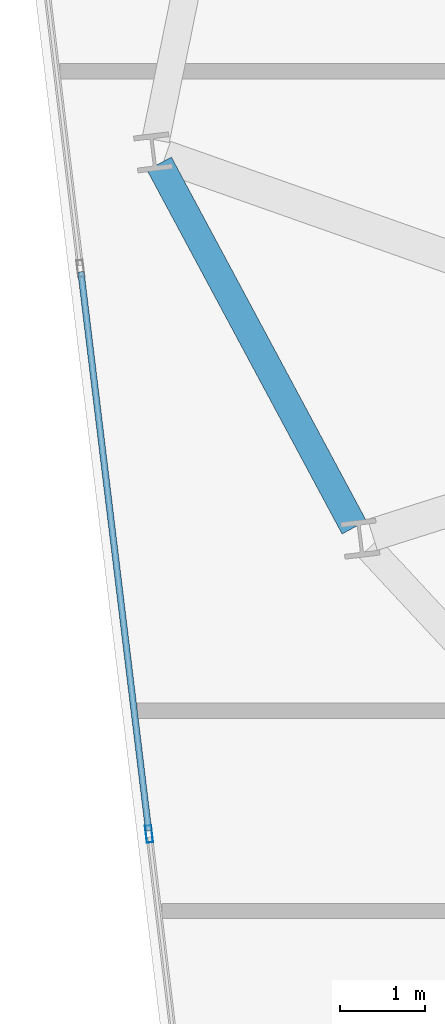
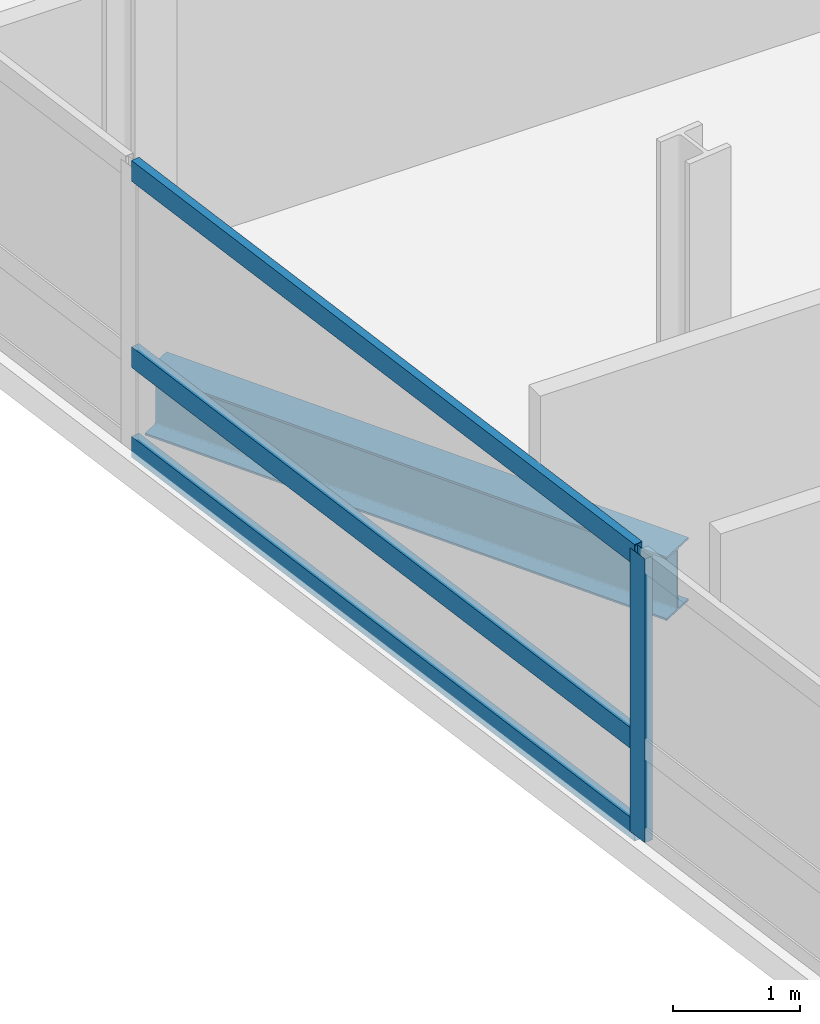
# One storey, part 4 of 24: 4 members, 1 beam, 1 element without a shape of its own.
"""IFC4 building model written with IfcOpenShell, lengths in metres."""

import ifcopenshell
import ifcopenshell.guid

model = None  # the IFC model being written
_history = None  # IfcOwnerHistory: only IFC2X3 demands one
_inside = {}  # id of a spatial element -> (the spatial element, [elements in it])
_under = {}  # id of a project, library or spatial element -> (it, [spatial elements below it])
_declared = {}  # id of a project -> (the project, [libraries it declares])
_typed = {}  # id of a type object -> (the type object, [elements of that type])
_made_of = {}  # id of a material, layer set ... -> (it, [elements and type objects made of it])


def new_model(schema):
    """Start an empty IFC model of exactly this schema.

    Asked for "IFC4X3", IfcOpenShell would pick the latest addendum, in which some entities
    have other attributes; the version numbers below select the first issue.
    IFC2X3 requires an IfcOwnerHistory on every rooted entity: one is made here for all.
    """
    global model, _history
    if schema == "IFC4X3":
        model = ifcopenshell.file(schema_version=(4, 3, 0, 0))
    else:
        model = ifcopenshell.file(schema=schema)
    _inside.clear()
    _under.clear()
    _declared.clear()
    _typed.clear()
    _made_of.clear()
    _history = None
    if model.schema == "IFC2X3":
        org = make("IfcOrganization", Name="unknown")
        user = make(
            "IfcPersonAndOrganization",
            ThePerson=make("IfcPerson", FamilyName="unknown"),
            TheOrganization=org,
        )
        app = make(
            "IfcApplication",
            ApplicationDeveloper=org,
            Version="unknown",
            ApplicationFullName="unknown",
            ApplicationIdentifier="unknown",
        )
        _history = make(
            "IfcOwnerHistory",
            OwningUser=user,
            OwningApplication=app,
            ChangeAction="ADDED",
            CreationDate=0,
        )
    return model


def make(cls, **values):
    """One entity of the class cls with the attributes given. An attribute that is None is left unset."""
    return model.create_entity(
        cls, **{name: value for name, value in values.items() if value is not None}
    )


def rooted(cls, **values):
    """An entity with a GlobalId (a new one), such as an element, a storey or a relation."""
    return make(cls, GlobalId=ifcopenshell.guid.new(), OwnerHistory=_history, **values)


def si_unit(unit_type, name, prefix=None):
    """IfcSIUnit, for example si_unit("LENGTHUNIT", "METRE", prefix="MILLI")."""
    return make("IfcSIUnit", UnitType=unit_type, Prefix=prefix, Name=name)


def assignment(units):
    """IfcUnitAssignment: the units of a project."""
    return None if units is None else make("IfcUnitAssignment", Units=units)


def point(xyz):
    """IfcCartesianPoint."""
    return None if xyz is None else make("IfcCartesianPoint", Coordinates=xyz)


def direction(xyz):
    """IfcDirection."""
    return None if xyz is None else make("IfcDirection", DirectionRatios=xyz)


def frame(location, z_axis=None, x_axis=None):
    """IfcAxis2Placement3D, a coordinate frame: its origin and axes. An axis left out is left unset."""
    return make(
        "IfcAxis2Placement3D",
        Location=point(location),
        Axis=direction(z_axis),
        RefDirection=direction(x_axis),
    )


def frame_2d(location, x_axis=None):
    """IfcAxis2Placement2D, a coordinate frame in the plane: its origin and x axis."""
    return make(
        "IfcAxis2Placement2D", Location=point(location), RefDirection=direction(x_axis)
    )


def origin():
    """The frame at (0, 0, 0) with its axes left unset."""
    return frame((0.0, 0.0, 0.0))


def origin_2d():
    """The frame at (0, 0) in the plane with its x axis left unset."""
    return frame_2d((0.0, 0.0))


def place(relative_to, where):
    """IfcLocalPlacement: puts the frame where relative to a parent placement (None: the world)."""
    return make(
        "IfcLocalPlacement", PlacementRelTo=relative_to, RelativePlacement=where
    )


def context(
    kind, dimensions, precision=None, world=None, true_north=None, identifier=None
):
    """IfcGeometricRepresentationContext, for example the 3D "Model" context."""
    return make(
        "IfcGeometricRepresentationContext",
        ContextIdentifier=identifier,
        ContextType=kind,
        CoordinateSpaceDimension=dimensions,
        Precision=precision,
        WorldCoordinateSystem=world,
        TrueNorth=true_north,
    )


def subcontext(parent, identifier, kind, view, scale=None):
    """IfcGeometricRepresentationSubContext, for example "Body" below "Model"."""
    return make(
        "IfcGeometricRepresentationSubContext",
        ContextIdentifier=identifier,
        ContextType=kind,
        ParentContext=parent,
        TargetScale=scale,
        TargetView=view,
    )


def project(units=None, contexts=None):
    """IfcProject with its units and contexts."""
    return rooted(
        "IfcProject",
        Name="project",
        RepresentationContexts=contexts,
        UnitsInContext=assignment(units),
    )


def spatial(cls, under=None, at=None, **own):
    """A site, building, storey or space (cls), placed at a placement, below another one or the project."""
    s = rooted(cls, ObjectPlacement=at, **own)
    if under is not None:
        _under.setdefault(under.id(), (under, []))[1].append(s)
    return s


def profile(cls, at=None, kind="AREA", **sizes):
    """A parametric profile (cls). Its sizes go by their IFC names, for example OverallWidth=200.0."""
    return make(cls, ProfileType=kind, Position=at, **sizes)


def hollow_rectangle(**sizes):
    """IfcRectangleHollowProfileDef."""
    return profile("IfcRectangleHollowProfileDef", **sizes)


def i_section(**sizes):
    """IfcIShapeProfileDef."""
    return profile("IfcIShapeProfileDef", **sizes)


def extrude(swept, where, along, depth):
    """IfcExtrudedAreaSolid: the profile swept, set in the frame where, extruded along a direction by depth."""
    return make(
        "IfcExtrudedAreaSolid",
        SweptArea=swept,
        Position=where,
        ExtrudedDirection=direction(along),
        Depth=depth,
    )


def shape(context_of_items, identifier, shape_type, items):
    """IfcShapeRepresentation: the items that make up one representation, for example the "Body"."""
    return make(
        "IfcShapeRepresentation",
        ContextOfItems=context_of_items,
        RepresentationIdentifier=identifier,
        RepresentationType=shape_type,
        Items=items,
    )


def material(Name=None, Category=None):
    """IfcMaterial."""
    return make("IfcMaterial", Name=Name, Category=Category)


def layer(
    of_material, thickness, ventilated=None, Name=None, Category=None, Priority=None
):
    """IfcMaterialLayer: one layer of a wall or slab, of a material (None: an air gap)."""
    return make(
        "IfcMaterialLayer",
        Material=of_material,
        LayerThickness=thickness,
        IsVentilated=ventilated,
        Name=Name,
        Category=Category,
        Priority=Priority,
    )


def layer_set(layers, Name=None):
    """IfcMaterialLayerSet."""
    return make("IfcMaterialLayerSet", MaterialLayers=layers, LayerSetName=Name)


def material_profile(
    of_material, cross_section, Name=None, Category=None, Priority=None
):
    """IfcMaterialProfile: a cross section and its material."""
    return make(
        "IfcMaterialProfile",
        Name=Name,
        Material=of_material,
        Profile=cross_section,
        Priority=Priority,
        Category=Category,
    )


def profile_set(profiles, Name=None, composite=None):
    """IfcMaterialProfileSet."""
    return make(
        "IfcMaterialProfileSet",
        Name=Name,
        MaterialProfiles=profiles,
        CompositeProfile=composite,
    )


def made_of(thing, what):
    """Note that an element or type object is made of a material, layer set ...; save() writes the relation."""
    if what is not None:
        _made_of.setdefault(what.id(), (what, []))[1].append(thing)
    return thing


def type_object(cls, material=None, **own):
    """A type object (cls), such as IfcWallType, which elements share."""
    return made_of(rooted(cls, **own), material)


def element(
    cls,
    number,
    at=None,
    inside=None,
    cuts=None,
    type_object=None,
    material=None,
    context=None,
    identifier="Body",
    shape_type=None,
    held_by="IfcProductDefinitionShape",
    body=None,
    shapes=None,
    **own,
):
    """One element of the class cls, such as IfcWall. Its Tag is "e" and its number.

    at: its placement. inside: the storey or other place that contains it. cuts: it is an
    opening in that element (IfcRelVoidsElement). A single representation is given by context,
    identifier, shape_type and body (its items); several are given by shapes. held_by: the class
    of the entity that holds the representations. save() writes the other relations.
    """
    e = rooted(cls, Tag="e%d" % number, ObjectPlacement=at, **own)
    if body is not None:
        shapes = [shape(context, identifier, shape_type, body)]
    if shapes is not None:
        e.Representation = make(held_by, Representations=shapes)
    if inside is not None:
        _inside.setdefault(inside.id(), (inside, []))[1].append(e)
    if cuts is not None:
        rooted(
            "IfcRelVoidsElement", RelatingBuildingElement=cuts, RelatedOpeningElement=e
        )
    if type_object is not None:
        _typed.setdefault(type_object.id(), (type_object, []))[1].append(e)
    return made_of(e, material)


def aggregate(whole, parts):
    """IfcRelAggregates: a whole, such as a stair, and the parts it consists of."""
    return rooted("IfcRelAggregates", RelatingObject=whole, RelatedObjects=parts)


def save(model, path):
    """Write the relations noted so far, then the file.

    IfcRelAggregates (storeys below a building ...), IfcRelContainedInSpatialStructure (elements
    in a storey), IfcRelDefinesByType, IfcRelAssociatesMaterial and IfcRelDeclares: one each for
    every whole, place, type object, material and project.
    """
    for whole, parts in _under.values():
        aggregate(whole, parts)
    for where, things in _inside.values():
        rooted(
            "IfcRelContainedInSpatialStructure",
            RelatedElements=things,
            RelatingStructure=where,
        )
    for kind, things in _typed.values():
        rooted("IfcRelDefinesByType", RelatedObjects=things, RelatingType=kind)
    for what, things in _made_of.values():
        rooted("IfcRelAssociatesMaterial", RelatedObjects=things, RelatingMaterial=what)
    for by, libraries in _declared.values():
        rooted("IfcRelDeclares", RelatingContext=by, RelatedDefinitions=libraries)
    model.write(path)


model = new_model("IFC4")

# Units and contexts
model_context = context("Model", 3, precision=1e-05, world=origin(), true_north=direction((0.0, 1.0)))
body_context = subcontext(model_context, "Body", "Model", "MODEL_VIEW")
ifc_project = project(units=[si_unit("LENGTHUNIT", "METRE"), si_unit("AREAUNIT", "SQUARE_METRE"), si_unit("VOLUMEUNIT", "CUBIC_METRE"), si_unit("PLANEANGLEUNIT", "RADIAN"), si_unit("MASSUNIT", "GRAM", prefix="KILO")], contexts=[model_context])

# Site, building, storey
site_placement = place(None, origin())
site = spatial("IfcSite", under=ifc_project, at=site_placement, CompositionType="ELEMENT")
building_placement = place(site_placement, origin())
building = spatial("IfcBuilding", under=site, at=building_placement, Name="Varnelok Gate Tower", CompositionType="ELEMENT")
storey_placement = place(building_placement, frame((0.0, 0.0, 167.199951171875)))
storey = spatial("IfcBuildingStorey", under=building, at=storey_placement, Name="L42", CompositionType="ELEMENT", Elevation=167.199951171875)

# Beam
ifc_material_1 = material(Name="Structural Steel ASTM A992 Grade 50", Category="steel")
ifc_material_profile_1 = material_profile(ifc_material_1, i_section(OverallWidth=0.323974609375, OverallDepth=0.611083984375, WebThickness=0.0126953125, FlangeThickness=0.01904296875, FilletRadius=0.01806640625, at=origin_2d()), Name="W24X104")
ifc_profile_set_1 = profile_set([ifc_material_profile_1], Name="Structural Steel ASTM A992 Grade 50")
beam_type = type_object("IfcBeamType", Name="BM-SPN-W24X104", PredefinedType="SPANDREL", material=ifc_profile_set_1)
beam_placement = place(storey_placement, frame((4.816650390625, 25.61474609375, -0.555419921875), z_axis=(0.472471917257, -0.881345725242, 0.0), x_axis=(0.881345725242, 0.472471917257, 0.0)))
element("IfcBeam", 1, at=beam_placement, inside=storey, type_object=beam_type, Name="L42 Perimeter Spandrel Beam 15", PredefinedType="SPANDREL", context=body_context, shape_type="SweptSolid", body=[
    extrude(i_section(OverallWidth=0.323974609375, OverallDepth=0.611083984375, WebThickness=0.0126953125, FlangeThickness=0.01904296875, FilletRadius=0.01806640625, at=origin_2d()), origin(), (0.0, 0.0, 1.0), 4.8408203125),
])

# Curtain wall, members
ifc_material_2 = material(Name="Anodized Aluminum Alloy 6063-T6", Category="aluminium")
ifc_layer = layer(ifc_material_2, 0.179931640625)
ifc_layer_set = layer_set([ifc_layer], Name="Anodized Aluminum Alloy 6063-T6")
curtain_wall_type = type_object("IfcCurtainWallType", Name="CW4-RESIDENCE-VISION", PredefinedType="USERDEFINED", material=ifc_layer_set)
curtain_wall_placement = place(storey_placement, origin())
curtain_wall = element("IfcCurtainWall", 2, at=curtain_wall_placement, inside=storey, type_object=curtain_wall_type, Name="L42 West End Vision Curtain Wall", ObjectType="UNITISED CURTAIN WALL", PredefinedType="USERDEFINED")
ifc_material_profile_2 = material_profile(ifc_material_2, hollow_rectangle(XDim=0.074951171875, YDim=0.199951171875, WallThickness=0.00390625, at=origin_2d()), Name="ALU200X75X4")
ifc_profile_set_2 = profile_set([ifc_material_profile_2], Name="Anodized Aluminum Alloy 6063-T6")
member_type_1 = type_object("IfcMemberType", Name="CW-MULL-200", PredefinedType="MULLION", material=ifc_profile_set_2)
member_1_placement = place(storey_placement, frame((4.697509765625, 17.7529296875, 0.0), z_axis=(0.0, 0.0, 1.0), x_axis=(-0.992732188751, -0.120344511371, 0.0)))
member_1 = element("IfcMember", 3, at=member_1_placement, type_object=member_type_1, Name="CW4 mullion 3", PredefinedType="MULLION", context=body_context, shape_type="SweptSolid", body=[
    extrude(hollow_rectangle(XDim=0.074951171875, YDim=0.199951171875, WallThickness=0.00390625, at=origin_2d()), origin(), (0.0, 0.0, 1.0), 2.72998046875),
])
ifc_material_profile_3 = material_profile(ifc_material_2, hollow_rectangle(XDim=0.074951171875, YDim=0.199951171875, WallThickness=0.00390625, at=origin_2d()), Name="ALU200X75X4")
ifc_profile_set_3 = profile_set([ifc_material_profile_3], Name="Anodized Aluminum Alloy 6063-T6")
member_type_2 = type_object("IfcMemberType", Name="CW-TRAN-200", PredefinedType="USERDEFINED", material=ifc_profile_set_3)
member_2_placement = place(storey_placement, frame((4.69287109375, 17.790283203125, 0.03759765625), z_axis=(-0.120317016873, 0.992735521401, 0.0), x_axis=(-0.992735521401, -0.120317016873, 0.0)))
member_2 = element("IfcMember", 4, at=member_2_placement, type_object=member_type_2, Name="CW4 transom 3.1", ObjectType="TRANSOM", PredefinedType="USERDEFINED", context=body_context, shape_type="SweptSolid", body=[
    extrude(hollow_rectangle(XDim=0.074951171875, YDim=0.199951171875, WallThickness=0.00390625, at=origin_2d()), origin(), (0.0, 0.0, 1.0), 6.60498046875),
])
member_3_placement = place(storey_placement, frame((4.69287109375, 17.790283203125, 0.900146484375), z_axis=(-0.120317016873, 0.992735521401, 0.0), x_axis=(-0.992735521401, -0.120317016873, 0.0)))
member_3 = element("IfcMember", 5, at=member_3_placement, type_object=member_type_2, Name="CW4 transom 3.2", ObjectType="TRANSOM", PredefinedType="USERDEFINED", context=body_context, shape_type="SweptSolid", body=[
    extrude(hollow_rectangle(XDim=0.074951171875, YDim=0.199951171875, WallThickness=0.00390625, at=origin_2d()), origin(), (0.0, 0.0, 1.0), 6.60498046875),
])
member_4_placement = place(storey_placement, frame((4.69287109375, 17.790283203125, 2.692626953125), z_axis=(-0.120317016873, 0.992735521401, 0.0), x_axis=(-0.992735521401, -0.120317016873, 0.0)))
member_4 = element("IfcMember", 6, at=member_4_placement, type_object=member_type_2, Name="CW4 transom 3.3", ObjectType="TRANSOM", PredefinedType="USERDEFINED", context=body_context, shape_type="SweptSolid", body=[
    extrude(hollow_rectangle(XDim=0.074951171875, YDim=0.199951171875, WallThickness=0.00390625, at=origin_2d()), origin(), (0.0, 0.0, 1.0), 6.60498046875),
])
aggregate(curtain_wall, [member_1, member_2, member_3, member_4])

save(model, "model.ifc")
